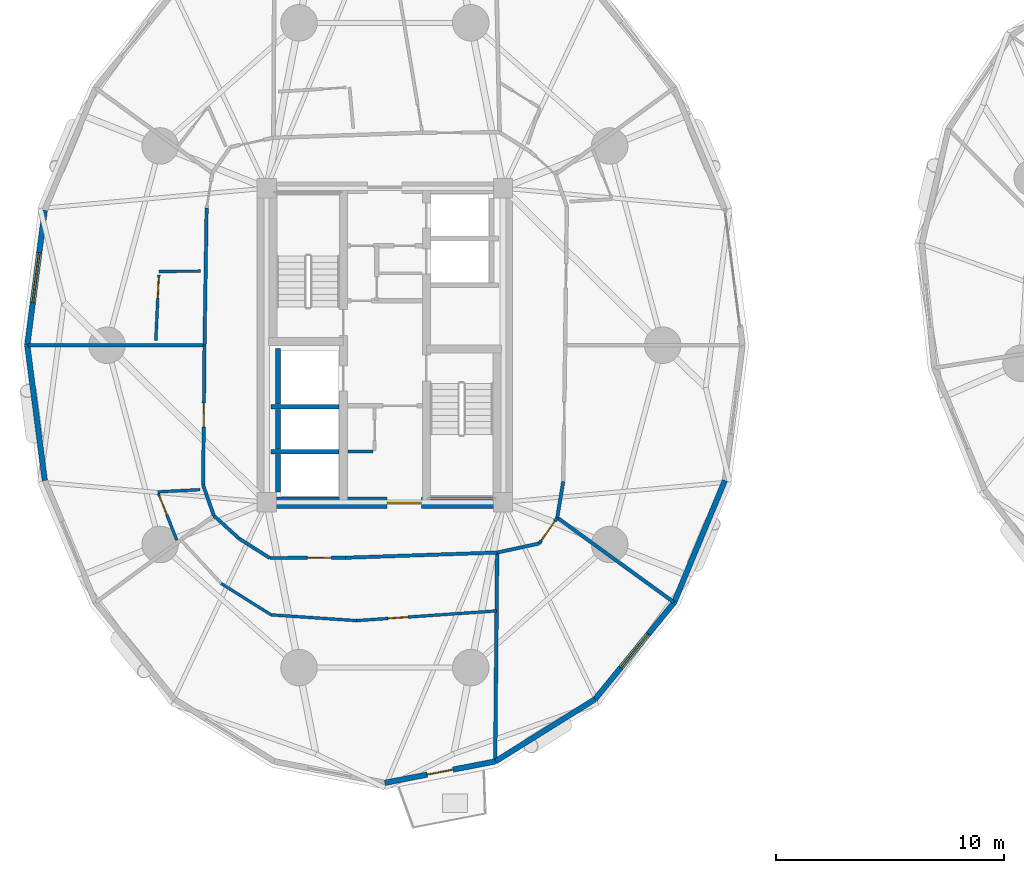
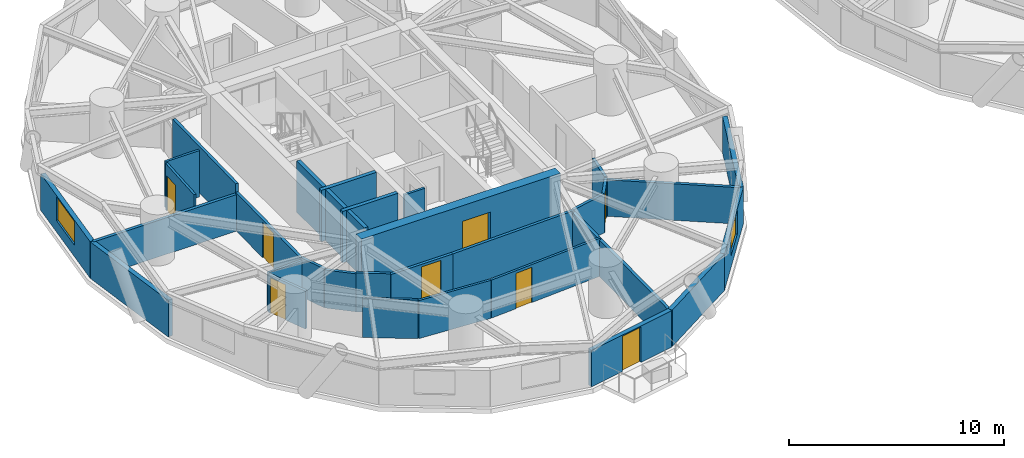
# One storey, part 9 of 18: 33 walls, 8 doors, 2 windows, 10 openings.
"""IFC4 building model written with IfcOpenShell, lengths in metres."""

from ifc_helpers import new_model, si_unit, direction, frame, frame_2d, origin, place, context, subcontext, project, spatial, rectangle, extrude, source, transform, mapped, material, layer, layer_set, type_object, element, fill, save


model = new_model("IFC4")

# Units and contexts
model_context = context("Model", 3, precision=1e-05, world=origin(), true_north=direction((0.0, 1.0)))
body_context = subcontext(model_context, "Body", "Model", "MODEL_VIEW")
ifc_project = project(units=[si_unit("LENGTHUNIT", "METRE"), si_unit("AREAUNIT", "SQUARE_METRE"), si_unit("VOLUMEUNIT", "CUBIC_METRE"), si_unit("PLANEANGLEUNIT", "RADIAN"), si_unit("MASSUNIT", "GRAM", prefix="KILO")], contexts=[model_context])

# Site, building, storey
site_placement = place(None, origin())
site = spatial("IfcSite", under=ifc_project, at=site_placement, CompositionType="ELEMENT")
building_placement = place(site_placement, origin())
building = spatial("IfcBuilding", under=site, at=building_placement, Name="Cununo Teusaquillo Station Towers", CompositionType="ELEMENT")
storey_placement = place(building_placement, frame((0.0, 0.0, 51.10009765625)))
storey = spatial("IfcBuildingStorey", under=building, at=storey_placement, Name="L15", CompositionType="ELEMENT", Elevation=51.10009765625)

# Walls
ifc_material_1 = material(Name="Concrete C50/60", Category="concrete")
ifc_layer_1 = layer(ifc_material_1, 0.199951171875)
ifc_layer_set_1 = layer_set([ifc_layer_1], Name="Concrete C50/60")
wall_type_1 = type_object("IfcWallType", Name="WL-CORE-200", PredefinedType="SHEAR", material=ifc_layer_set_1)
wall_1_placement = place(storey_placement, frame((11.52001953125, 21.800048828125, 0.0), z_axis=(0.0, 0.0, 1.0), x_axis=(1.0, 0.0, 0.0)))
element("IfcWall", 1, at=wall_1_placement, inside=storey, type_object=wall_type_1, Name="L15 Tower A Firefighting Lift Shaft South Shear Wall", PredefinedType="SHEAR", context=body_context, shape_type="SweptSolid", body=[
    extrude(rectangle(XDim=2.969970703125, YDim=0.199951171875, at=frame_2d((1.48486328125, 0.0))), origin(), (0.0, 0.0, 1.0), 2.909912109375),
])
wall_2_placement = place(storey_placement, frame((11.820068359375, 21.919921875, 0.0), z_axis=(0.0, 0.0, 1.0), x_axis=(0.0, 1.0, 0.0)))
element("IfcWall", 2, at=wall_2_placement, inside=storey, type_object=wall_type_1, Name="L15 Tower A Firefighting Lift Shaft Rear Shear Wall", PredefinedType="SHEAR", context=body_context, shape_type="SweptSolid", body=[
    extrude(rectangle(XDim=2.440185546875, YDim=0.199951171875, at=frame_2d((1.22021484375, 0.0))), origin(), (0.0, 0.0, 1.0), 2.909912109375),
])
wall_3_placement = place(storey_placement, frame((11.52001953125, 19.824951171875, 0.0), z_axis=(0.0, 0.0, 1.0), x_axis=(1.0, 0.0, 0.0)))
element("IfcWall", 3, at=wall_3_placement, inside=storey, type_object=wall_type_1, Name="L15 Tower A High-Rise Lift Hoistway Divider Shear Wall", PredefinedType="SHEAR", context=body_context, shape_type="SweptSolid", body=[
    extrude(rectangle(XDim=2.969970703125, YDim=0.199951171875, at=frame_2d((1.48486328125, 0.0))), origin(), (0.0, 0.0, 1.0), 2.909912109375),
])
wall_4_placement = place(storey_placement, frame((11.820068359375, 19.945068359375, 0.0), z_axis=(0.0, 0.0, 1.0), x_axis=(0.0, 1.0, 0.0)))
element("IfcWall", 4, at=wall_4_placement, inside=storey, type_object=wall_type_1, Name="L15 Tower A High-Rise Lift 2 Shaft Rear Shear Wall", PredefinedType="SHEAR", context=body_context, shape_type="SweptSolid", body=[
    extrude(rectangle(XDim=1.73486328125, YDim=0.199951171875, at=frame_2d((0.867431640625, 0.0))), origin(), (0.0, 0.0, 1.0), 2.909912109375),
])
wall_5_placement = place(storey_placement, frame((11.820068359375, 18.070068359375, 0.0), z_axis=(0.0, 0.0, 1.0), x_axis=(0.0, 1.0, 0.0)))
element("IfcWall", 5, at=wall_5_placement, inside=storey, type_object=wall_type_1, Name="L15 Tower A High-Rise Lift 1 Shaft Rear Shear Wall", PredefinedType="SHEAR", context=body_context, shape_type="SweptSolid", body=[
    extrude(rectangle(XDim=1.635009765625, YDim=0.199951171875, at=frame_2d((0.8173828125, 0.0))), origin(), (0.0, 0.0, 1.0), 2.909912109375),
])

# Wall, opening, door
ifc_material_2 = material(Name="Concrete C60/75", Category="concrete")
ifc_layer_2 = layer(ifc_material_2, 0.5)
ifc_layer_set_2 = layer_set([ifc_layer_2], Name="Concrete C60/75")
wall_type_2 = type_object("IfcWallType", Name="WL-CORE-500", PredefinedType="SHEAR", material=ifc_layer_set_2)
wall_6_placement = place(storey_placement, frame((11.14990234375, 17.60009765625, 0.0), z_axis=(0.0, 0.0, 1.0), x_axis=(1.0, 0.0, 0.0)))
wall_6 = element("IfcWall", 6, at=wall_6_placement, inside=storey, type_object=wall_type_2, Name="L15 Tower A Core Shear Wall S", PredefinedType="SHEAR", context=body_context, shape_type="SweptSolid", body=[
    extrude(rectangle(XDim=10.7001953125, YDim=0.5, at=frame_2d((5.35009765625, 0.0))), origin(), (0.0, 0.0, 1.0), 2.909912109375),
])
shared_shape_1 = source(origin(), body_context, "Body", "SweptSolid", [
    extrude(rectangle(XDim=1.5, YDim=2.02001953125, at=frame_2d((0.75, 1.010009765625))), frame((0.0, 0.260009765625, 0.0), z_axis=(0.0, -1.0, 0.0), x_axis=(1.0, 0.0, 0.0)), (0.0, 0.0, 1.0), 0.52001953125),
])
opening_1_placement = place(wall_6_placement, frame((5.449951171875, 0.0, 0.0)))
opening_1 = element("IfcOpeningElement", 7, at=opening_1_placement, cuts=wall_6, Name="Opening D-LB1", PredefinedType="OPENING", context=body_context, shape_type="MappedRepresentation", body=[
    mapped(shared_shape_1, transform((0.0, 0.0, 0.0), x_axis=(1.0, 0.0, 0.0), y_axis=(0.0, 1.0, 0.0), z_axis=(0.0, 0.0, 1.0), scale=1.0)),
])
ifc_material_3 = material(Name="Galvanised fire-rated hollow steel door assembly", Category="steel")
door_type_1 = type_object("IfcDoorType", Name="DR-LOBBY-1500", OperationType="DOUBLE_DOOR_SINGLE_SWING", PredefinedType="DOOR", material=ifc_material_3)
shared_shape_2 = source(origin(), body_context, "Body", "SweptSolid", [
    extrude(rectangle(XDim=1.5, YDim=2.02001953125, at=frame_2d((0.75, 1.010009765625))), frame((0.0, 0.02490234375, 0.0), z_axis=(0.0, -1.0, 0.0), x_axis=(1.0, 0.0, 0.0)), (0.0, 0.0, 1.0), 0.050048828125),
])
door_1_placement = place(opening_1_placement, origin())
door_1 = element("IfcDoor", 8, at=door_1_placement, inside=storey, type_object=door_type_1, Name="L15 Tower A South Core Lift Lobby Door", OperationType="DOUBLE_DOOR_SINGLE_SWING", OverallHeight=2.02001953125, OverallWidth=1.5, PredefinedType="DOOR", context=body_context, shape_type="MappedRepresentation", body=[
    mapped(shared_shape_2, transform((0.0, 0.0, 0.0), x_axis=(1.0, 0.0, 0.0), y_axis=(0.0, 1.0, 0.0), z_axis=(0.0, 0.0, 1.0), scale=1.0)),
])
fill(opening_1, door_1)

# Wall, opening, window
ifc_material_4 = material(Name="Precast concrete C40/50", Category="concrete")
ifc_layer_3 = layer(ifc_material_4, 0.239990234375)
ifc_layer_set_3 = layer_set([ifc_layer_3], Name="Precast concrete C40/50")
wall_type_3 = type_object("IfcWallType", Name="WL-EXT-240", PredefinedType="SOLIDWALL", material=ifc_layer_set_3)
wall_7_placement = place(storey_placement, frame((0.8369140625, 24.5, 0.0), z_axis=(0.0, 0.0, 1.0), x_axis=(0.128339641463, 0.991730274031, 0.0)))
wall_7 = element("IfcWall", 9, at=wall_7_placement, inside=storey, type_object=wall_type_3, Name="L15 Tower A Exterior Facade Wall C09", PredefinedType="SOLIDWALL", context=body_context, shape_type="SweptSolid", body=[
    extrude(rectangle(XDim=5.97314453125, YDim=0.239990234375, at=frame_2d((2.986572265625, 0.0))), origin(), (0.0, 0.0, 1.0), 2.072998046875),
])
shared_shape_3 = source(origin(), body_context, "Body", "SweptSolid", [
    extrude(rectangle(XDim=2.199951171875, YDim=1.35009765625, at=frame_2d((1.10009765625, 0.675048828125))), frame((0.0, 0.1298828125, 0.0), z_axis=(0.0, -1.0, 0.0), x_axis=(1.0, 0.0, 0.0)), (0.0, 0.0, 1.0), 0.260009765625),
])
opening_2_placement = place(wall_7_placement, frame((1.886962890625, 0.0, 0.64990234375)))
opening_2 = element("IfcOpeningElement", 10, at=opening_2_placement, cuts=wall_7, Name="Opening WN-01", PredefinedType="OPENING", context=body_context, shape_type="MappedRepresentation", body=[
    mapped(shared_shape_3, transform((0.0, 0.0, 0.0), x_axis=(1.0, 0.0, 0.0), y_axis=(0.0, 1.0, 0.0), z_axis=(0.0, 0.0, 1.0), scale=1.0)),
])
ifc_material_5 = material(Name="Ceramic-fritted dark low-E double glazing", Category="glass")
window_type_1 = type_object("IfcWindowType", Name="WIN-FRIT-2200", PartitioningType="DOUBLE_PANEL_VERTICAL", PredefinedType="WINDOW", material=ifc_material_5)
shared_shape_4 = source(origin(), body_context, "Body", "SweptSolid", [
    extrude(rectangle(XDim=2.199951171875, YDim=1.35009765625, at=frame_2d((1.10009765625, 0.675048828125))), frame((0.0, 0.030029296875, 0.0), z_axis=(0.0, -1.0, 0.0), x_axis=(1.0, 0.0, 0.0)), (0.0, 0.0, 1.0), 0.06005859375),
])
window_1_placement = place(opening_2_placement, origin())
window_1 = element("IfcWindow", 11, at=window_1_placement, inside=storey, type_object=window_type_1, Name="L15 Tower A Facade Window C09", OverallHeight=1.35009765625, OverallWidth=2.199951171875, PartitioningType="DOUBLE_PANEL_VERTICAL", PredefinedType="WINDOW", context=body_context, shape_type="MappedRepresentation", body=[
    mapped(shared_shape_4, transform((0.0, 0.0, 0.0), x_axis=(1.0, 0.0, 0.0), y_axis=(0.0, 1.0, 0.0), z_axis=(0.0, 0.0, 1.0), scale=1.0)),
])
fill(opening_2, window_1)

# Wall
wall_8_placement = place(storey_placement, frame((1.603515625, 18.576171875, 0.0), z_axis=(0.0, 0.0, 1.0), x_axis=(-0.128339641463, 0.991730274031, 0.0)))
element("IfcWall", 12, at=wall_8_placement, inside=storey, type_object=wall_type_3, Name="L15 Tower A Exterior Facade Wall C10", PredefinedType="SOLIDWALL", context=body_context, shape_type="SweptSolid", body=[
    extrude(rectangle(XDim=5.97314453125, YDim=0.239990234375, at=frame_2d((2.986572265625, 0.0))), origin(), (0.0, 0.0, 1.0), 2.072998046875),
])

# Wall, opening, door
wall_9_placement = place(storey_placement, frame((21.340087890625, 6.268310546875, 0.0), z_axis=(0.0, 0.0, 1.0), x_axis=(-0.981725274071, -0.190303668512, 0.0)))
wall_9 = element("IfcWall", 13, at=wall_9_placement, inside=storey, type_object=wall_type_3, Name="L15 Tower A Exterior Facade Wall C15", PredefinedType="SOLIDWALL", context=body_context, shape_type="SweptSolid", body=[
    extrude(rectangle(XDim=4.93017578125, YDim=0.239990234375, at=frame_2d((2.465087890625, 0.0))), origin(), (0.0, 0.0, 1.0), 2.072998046875),
])
shared_shape_5 = source(origin(), body_context, "Body", "SweptSolid", [
    extrude(rectangle(XDim=1.14990234375, YDim=2.0048828125, at=frame_2d((0.574951171875, 1.00244140625))), frame((0.0, 0.1298828125, 0.0), z_axis=(0.0, -1.0, 0.0), x_axis=(1.0, 0.0, 0.0)), (0.0, 0.0, 1.0), 0.260009765625),
])
opening_3_placement = place(wall_9_placement, frame((1.889892578125, 0.0, 0.0)))
opening_3 = element("IfcOpeningElement", 14, at=opening_3_placement, cuts=wall_9, Name="Opening ED-03", PredefinedType="OPENING", context=body_context, shape_type="MappedRepresentation", body=[
    mapped(shared_shape_5, transform((0.0, 0.0, 0.0), x_axis=(1.0, 0.0, 0.0), y_axis=(0.0, 1.0, 0.0), z_axis=(0.0, 0.0, 1.0), scale=1.0)),
])
ifc_material_6 = material(Name="Anodised dark bronze aluminium EN AW-6063-T6", Category="aluminium")
door_type_2 = type_object("IfcDoorType", Name="DR-EXT-BAL", OperationType="NOTDEFINED", PredefinedType="DOOR", material=ifc_material_6)
shared_shape_6 = source(origin(), body_context, "Body", "SweptSolid", [
    extrude(rectangle(XDim=1.14990234375, YDim=2.0048828125, at=frame_2d((0.574951171875, 1.00244140625))), frame((0.0, 0.02490234375, 0.0), z_axis=(0.0, -1.0, 0.0), x_axis=(1.0, 0.0, 0.0)), (0.0, 0.0, 1.0), 0.050048828125),
])
door_2_placement = place(opening_3_placement, origin())
door_2 = element("IfcDoor", 15, at=door_2_placement, inside=storey, type_object=door_type_2, Name="L15 Tower A Tree Balcony Door C15", OperationType="SINGLE_SWING_LEFT", OverallHeight=2.0048828125, OverallWidth=1.14990234375, PredefinedType="DOOR", context=body_context, shape_type="MappedRepresentation", body=[
    mapped(shared_shape_6, transform((0.0, 0.0, 0.0), x_axis=(1.0, 0.0, 0.0), y_axis=(0.0, 1.0, 0.0), z_axis=(0.0, 0.0, 1.0), scale=1.0)),
])
fill(opening_3, door_2)

# Wall
wall_10_placement = place(storey_placement, frame((25.70654296875, 8.9912109375, 0.0), z_axis=(0.0, 0.0, 1.0), x_axis=(-0.848533613342, -0.529141481107, 0.0)))
element("IfcWall", 16, at=wall_10_placement, inside=storey, type_object=wall_type_3, Name="L15 Tower A Exterior Facade Wall C16", PredefinedType="SOLIDWALL", context=body_context, shape_type="SweptSolid", body=[
    extrude(rectangle(XDim=5.14599609375, YDim=0.239990234375, at=frame_2d((2.572998046875, 0.0))), origin(), (0.0, 0.0, 1.0), 2.072998046875),
])

# Wall, opening, window
wall_11_placement = place(storey_placement, frame((29.171630859375, 13.232177734375, 0.0), z_axis=(0.0, 0.0, 1.0), x_axis=(-0.632713287022, -0.77438614168, 0.0)))
wall_11 = element("IfcWall", 17, at=wall_11_placement, inside=storey, type_object=wall_type_3, Name="L15 Tower A Exterior Facade Wall C17", PredefinedType="SOLIDWALL", context=body_context, shape_type="SweptSolid", body=[
    extrude(rectangle(XDim=5.4765625, YDim=0.239990234375, at=frame_2d((2.73828125, 0.0))), origin(), (0.0, 0.0, 1.0), 2.072998046875),
])
shared_shape_7 = source(origin(), body_context, "Body", "SweptSolid", [
    extrude(rectangle(XDim=1.89990234375, YDim=1.35009765625, at=frame_2d((0.949951171875, 0.675048828125))), frame((0.0, 0.1298828125, 0.0), z_axis=(0.0, -1.0, 0.0), x_axis=(1.0, 0.0, 0.0)), (0.0, 0.0, 1.0), 0.260009765625),
])
opening_4_placement = place(wall_11_placement, frame((1.7880859375, 0.0, 0.64990234375)))
opening_4 = element("IfcOpeningElement", 18, at=opening_4_placement, cuts=wall_11, Name="Opening WN-02", PredefinedType="OPENING", context=body_context, shape_type="MappedRepresentation", body=[
    mapped(shared_shape_7, transform((0.0, 0.0, 0.0), x_axis=(1.0, 0.0, 0.0), y_axis=(0.0, 1.0, 0.0), z_axis=(0.0, 0.0, 1.0), scale=1.0)),
])
ifc_material_7 = material(Name="Operable acoustic tinted low-E double glazing", Category="glass")
window_type_2 = type_object("IfcWindowType", Name="WIN-OPER-1900", PartitioningType="DOUBLE_PANEL_VERTICAL", PredefinedType="WINDOW", material=ifc_material_7)
shared_shape_8 = source(origin(), body_context, "Body", "SweptSolid", [
    extrude(rectangle(XDim=1.89990234375, YDim=1.35009765625, at=frame_2d((0.949951171875, 0.675048828125))), frame((0.0, 0.030029296875, 0.0), z_axis=(0.0, -1.0, 0.0), x_axis=(1.0, 0.0, 0.0)), (0.0, 0.0, 1.0), 0.06005859375),
])
window_2_placement = place(opening_4_placement, origin())
window_2 = element("IfcWindow", 19, at=window_2_placement, inside=storey, type_object=window_type_2, Name="L15 Tower A Facade Window C17", OverallHeight=1.35009765625, OverallWidth=1.89990234375, PartitioningType="DOUBLE_PANEL_VERTICAL", PredefinedType="WINDOW", context=body_context, shape_type="MappedRepresentation", body=[
    mapped(shared_shape_8, transform((0.0, 0.0, 0.0), x_axis=(1.0, 0.0, 0.0), y_axis=(0.0, 1.0, 0.0), z_axis=(0.0, 0.0, 1.0), scale=1.0)),
])
fill(opening_4, window_2)

# Walls
wall_12_placement = place(storey_placement, frame((31.396484375, 18.576171875, 0.0), z_axis=(0.0, 0.0, 1.0), x_axis=(-0.384348836956, -0.923187939442, 0.0)))
element("IfcWall", 20, at=wall_12_placement, inside=storey, type_object=wall_type_3, Name="L15 Tower A Exterior Facade Wall C18", PredefinedType="SOLIDWALL", context=body_context, shape_type="SweptSolid", body=[
    extrude(rectangle(XDim=5.78857421875, YDim=0.239990234375, at=frame_2d((2.894287109375, 0.0))), origin(), (0.0, 0.0, 1.0), 2.072998046875),
])
ifc_material_8 = material(Name="Fire-rated gypsum plasterboard partition assembly", Category="gypsum")
ifc_layer_4 = layer(ifc_material_8, 0.125)
ifc_layer_set_4 = layer_set([ifc_layer_4], Name="Fire-rated gypsum plasterboard partition assembly")
wall_type_4 = type_object("IfcWallType", Name="WL-PART-125", PredefinedType="PARTITIONING", material=ifc_layer_set_4)
wall_13_placement = place(storey_placement, frame((14.8798828125, 19.85009765625, 0.0), z_axis=(0.0, 0.0, 1.0), x_axis=(1.0, 0.0, 0.0)))
element("IfcWall", 21, at=wall_13_placement, inside=storey, type_object=wall_type_4, Name="L15 Tower A North-West Lobby Store South Wall", PredefinedType="PARTITIONING", context=body_context, shape_type="SweptSolid", body=[
    extrude(rectangle(XDim=1.10009765625, YDim=0.125, at=frame_2d((0.550048828125, 0.0))), origin(), (0.0, 0.0, 1.0), 2.635009765625),
])
wall_14_placement = place(storey_placement, frame((8.4287109375, 27.74462890625, 0.0), z_axis=(0.0, 0.0, 1.0), x_axis=(-0.999976632219, -0.006836301373, 0.0)))
element("IfcWall", 22, at=wall_14_placement, inside=storey, type_object=wall_type_4, Name="L15 Tower A S05 En-suite Side Wall", PredefinedType="PARTITIONING", context=body_context, shape_type="SweptSolid", body=[
    extrude(rectangle(XDim=1.8212890625, YDim=0.125, at=frame_2d((0.91064453125, 0.0))), origin(), (0.0, 0.0, 1.0), 2.635009765625),
])

# Wall, opening, door
wall_15_placement = place(storey_placement, frame((6.600341796875, 27.58251953125, 0.0), z_axis=(0.0, 0.0, 1.0), x_axis=(-0.046516553412, -0.998917519247, 0.0)))
wall_15 = element("IfcWall", 23, at=wall_15_placement, inside=storey, type_object=wall_type_4, Name="L15 Tower A S05 En-suite Back Wall", PredefinedType="PARTITIONING", context=body_context, shape_type="SweptSolid", body=[
    extrude(rectangle(XDim=2.876220703125, YDim=0.125, at=frame_2d((1.43798828125, 0.0))), origin(), (0.0, 0.0, 1.0), 2.635009765625),
])
shared_shape_9 = source(origin(), body_context, "Body", "SweptSolid", [
    extrude(rectangle(XDim=0.89990234375, YDim=2.0048828125, at=frame_2d((0.449951171875, 1.00244140625))), frame((0.0, 0.072509765625, 0.0), z_axis=(0.0, -1.0, 0.0), x_axis=(1.0, 0.0, 0.0)), (0.0, 0.0, 1.0), 0.14501953125),
])
opening_5_placement = place(wall_15_placement, frame((0.1201171875, 0.0, 0.0)))
opening_5 = element("IfcOpeningElement", 24, at=opening_5_placement, cuts=wall_15, Name="Opening D-IN1", PredefinedType="OPENING", context=body_context, shape_type="MappedRepresentation", body=[
    mapped(shared_shape_9, transform((0.0, 0.0, 0.0), x_axis=(1.0, 0.0, 0.0), y_axis=(0.0, 1.0, 0.0), z_axis=(0.0, 0.0, 1.0), scale=1.0)),
])
ifc_material_9 = material(Name="Acoustic solid-core hardwood leaf assembly", Category="wood")
door_type_3 = type_object("IfcDoorType", Name="DR-INT-900", OperationType="NOTDEFINED", PredefinedType="DOOR", material=ifc_material_9)
shared_shape_10 = source(origin(), body_context, "Body", "SweptSolid", [
    extrude(rectangle(XDim=0.89990234375, YDim=2.0048828125, at=frame_2d((0.449951171875, 1.00244140625))), frame((0.0, 0.02490234375, 0.0), z_axis=(0.0, -1.0, 0.0), x_axis=(1.0, 0.0, 0.0)), (0.0, 0.0, 1.0), 0.050048828125),
])
door_3_placement = place(opening_5_placement, origin())
door_3 = element("IfcDoor", 25, at=door_3_placement, inside=storey, type_object=door_type_3, Name="L15 Tower A S05 En-suite Bathroom Door", OperationType="SINGLE_SWING_LEFT", OverallHeight=2.0048828125, OverallWidth=0.89990234375, PredefinedType="DOOR", context=body_context, shape_type="MappedRepresentation", body=[
    mapped(shared_shape_10, transform((0.0, 0.0, 0.0), x_axis=(1.0, 0.0, 0.0), y_axis=(0.0, 1.0, 0.0), z_axis=(0.0, 0.0, 1.0), scale=1.0)),
])
fill(opening_5, door_3)

# Wall
wall_16_placement = place(storey_placement, frame((8.404296875, 18.173095703125, 0.0), z_axis=(0.0, 0.0, 1.0), x_axis=(-0.998640999178, -0.052116741655, 0.0)))
element("IfcWall", 26, at=wall_16_placement, inside=storey, type_object=wall_type_4, Name="L15 Tower A S06 En-suite Side Wall", PredefinedType="PARTITIONING", context=body_context, shape_type="SweptSolid", body=[
    extrude(rectangle(XDim=1.85498046875, YDim=0.125, at=frame_2d((0.927490234375, 0.0))), origin(), (0.0, 0.0, 1.0), 2.204833984375),
])

# Wall, opening, door
wall_17_placement = place(storey_placement, frame((6.5771484375, 18.01220703125, 0.0), z_axis=(0.0, 0.0, 1.0), x_axis=(0.366179258149, -0.930544330433, 0.0)))
wall_17 = element("IfcWall", 27, at=wall_17_placement, inside=storey, type_object=wall_type_4, Name="L15 Tower A S06 En-suite Back Wall", PredefinedType="PARTITIONING", context=body_context, shape_type="SweptSolid", body=[
    extrude(rectangle(XDim=2.20751953125, YDim=0.125, at=frame_2d((1.103759765625, 0.0))), origin(), (0.0, 0.0, 1.0), 2.158935546875),
])
opening_6_placement = place(wall_17_placement, frame((0.1201171875, 0.0, 0.0)))
opening_6 = element("IfcOpeningElement", 28, at=opening_6_placement, cuts=wall_17, Name="Opening D-IN1", PredefinedType="OPENING", context=body_context, shape_type="MappedRepresentation", body=[
    mapped(shared_shape_9, transform((0.0, 0.0, 0.0), x_axis=(1.0, 0.0, 0.0), y_axis=(0.0, 1.0, 0.0), z_axis=(0.0, 0.0, 1.0), scale=1.0)),
])
door_4_placement = place(opening_6_placement, origin())
door_4 = element("IfcDoor", 29, at=door_4_placement, inside=storey, type_object=door_type_3, Name="L15 Tower A S06 En-suite Bathroom Door", OperationType="SINGLE_SWING_LEFT", OverallHeight=2.0048828125, OverallWidth=0.89990234375, PredefinedType="DOOR", context=body_context, shape_type="MappedRepresentation", body=[
    mapped(shared_shape_10, transform((0.0, 0.0, 0.0), x_axis=(1.0, 0.0, 0.0), y_axis=(0.0, 1.0, 0.0), z_axis=(0.0, 0.0, 1.0), scale=1.0)),
])
fill(opening_6, door_4)

# Walls
wall_18_placement = place(storey_placement, frame((9.32861328125, 14.06298828125, 0.0), z_axis=(0.0, 0.0, 1.0), x_axis=(0.846882074778, -0.531780736225, 0.0)))
element("IfcWall", 30, at=wall_18_placement, inside=storey, type_object=wall_type_4, Name="L15 Tower A Hotel Sommelier & Wine Salon Concentric Partition Wall C13", PredefinedType="PARTITIONING", context=body_context, shape_type="SweptSolid", body=[
    extrude(rectangle(XDim=2.584716796875, YDim=0.125, at=frame_2d((1.29248046875, 0.0))), origin(), (0.0, 0.0, 1.0), 2.204833984375),
])
wall_19_placement = place(storey_placement, frame((11.517578125, 12.6884765625, 0.0), z_axis=(0.0, 0.0, 1.0), x_axis=(0.997722259414, -0.067455860152, 0.0)))
element("IfcWall", 31, at=wall_19_placement, inside=storey, type_object=wall_type_4, Name="L15 Tower A Hotel Sommelier & Wine Salon Concentric Partition Wall C14", PredefinedType="PARTITIONING", context=body_context, shape_type="SweptSolid", body=[
    extrude(rectangle(XDim=3.753173828125, YDim=0.125, at=frame_2d((1.87646484375, 0.0))), origin(), (0.0, 0.0, 1.0), 2.158935546875),
])

# Wall, opening, door
wall_20_placement = place(storey_placement, frame((15.26220703125, 12.435302734375, 0.0), z_axis=(0.0, 0.0, 1.0), x_axis=(0.997593149667, 0.069339077998, 0.0)))
wall_20 = element("IfcWall", 32, at=wall_20_placement, inside=storey, type_object=wall_type_4, Name="L15 Tower A Hotel Sommelier & Wine Salon Concentric Partition Wall C15", PredefinedType="PARTITIONING", context=body_context, shape_type="SweptSolid", body=[
    extrude(rectangle(XDim=6.147705078125, YDim=0.125, at=frame_2d((3.07373046875, 0.0))), origin(), (0.0, 0.0, 1.0), 2.158935546875),
])
opening_7_placement = place(wall_20_placement, frame((1.371826171875, 0.0, 0.0)))
opening_7 = element("IfcOpeningElement", 33, at=opening_7_placement, cuts=wall_20, Name="Opening D-IN1", PredefinedType="OPENING", context=body_context, shape_type="MappedRepresentation", body=[
    mapped(shared_shape_9, transform((0.0, 0.0, 0.0), x_axis=(1.0, 0.0, 0.0), y_axis=(0.0, 1.0, 0.0), z_axis=(0.0, 0.0, 1.0), scale=1.0)),
])
door_5_placement = place(opening_7_placement, origin())
door_5 = element("IfcDoor", 34, at=door_5_placement, inside=storey, type_object=door_type_3, Name="L15 Tower A Hotel Sommelier & Wine Salon Connecting Door", OperationType="SINGLE_SWING_LEFT", OverallHeight=2.0048828125, OverallWidth=0.89990234375, PredefinedType="DOOR", context=body_context, shape_type="MappedRepresentation", body=[
    mapped(shared_shape_10, transform((0.0, 0.0, 0.0), x_axis=(1.0, 0.0, 0.0), y_axis=(0.0, 1.0, 0.0), z_axis=(0.0, 0.0, 1.0), scale=1.0)),
])
fill(opening_7, door_5)

# Wall
ifc_material_10 = material(Name="Fire-rated gypsum plasterboard partition assembly", Category="gypsum")
ifc_layer_5 = layer(ifc_material_10, 0.14990234375)
ifc_layer_set_5 = layer_set([ifc_layer_5], Name="Fire-rated gypsum plasterboard partition assembly")
wall_type_5 = type_object("IfcWallType", Name="WL-PART-150", PredefinedType="PARTITIONING", material=ifc_layer_set_5)
wall_21_placement = place(storey_placement, frame((8.692626953125, 30.51171875, 0.0), z_axis=(0.0, 0.0, 1.0), x_axis=(-0.015389665197, -0.99988157209, 0.0)))
element("IfcWall", 35, at=wall_21_placement, inside=storey, type_object=wall_type_5, Name="L15 Tower A Corridor Ring Wall C09", PredefinedType="PARTITIONING", context=body_context, shape_type="SweptSolid", body=[
    extrude(rectangle(XDim=6.012451171875, YDim=0.14990234375, at=frame_2d((3.00634765625, 0.0))), origin(), (0.0, 0.0, 1.0), 2.635009765625),
])

# Wall, opening, door
wall_22_placement = place(storey_placement, frame((8.60009765625, 24.5, 0.0), z_axis=(0.0, 0.0, 1.0), x_axis=(-0.010076760723, -0.999949228158, 0.0)))
wall_22 = element("IfcWall", 36, at=wall_22_placement, inside=storey, type_object=wall_type_5, Name="L15 Tower A Corridor Ring Wall C10", PredefinedType="PARTITIONING", context=body_context, shape_type="SweptSolid", body=[
    extrude(rectangle(XDim=6.129638671875, YDim=0.14990234375, at=frame_2d((3.06494140625, 0.0))), origin(), (0.0, 0.0, 1.0), 2.158935546875),
])
shared_shape_11 = source(origin(), body_context, "Body", "SweptSolid", [
    extrude(rectangle(XDim=1.050048828125, YDim=2.014892578125, at=frame_2d((0.52490234375, 1.00732421875))), frame((0.0, 0.0849609375, 0.0), z_axis=(0.0, -1.0, 0.0), x_axis=(1.0, 0.0, 0.0)), (0.0, 0.0, 1.0), 0.169921875),
])
opening_8_placement = place(wall_22_placement, frame((2.539794921875, 0.0, 0.0)))
opening_8 = element("IfcOpeningElement", 37, at=opening_8_placement, cuts=wall_22, Name="Opening D-SU1", PredefinedType="OPENING", context=body_context, shape_type="MappedRepresentation", body=[
    mapped(shared_shape_11, transform((0.0, 0.0, 0.0), x_axis=(1.0, 0.0, 0.0), y_axis=(0.0, 1.0, 0.0), z_axis=(0.0, 0.0, 1.0), scale=1.0)),
])
ifc_material_11 = material(Name="Acoustic solid-core hardwood leaf assembly", Category="wood")
door_type_4 = type_object("IfcDoorType", Name="DR-SUITE-1050", OperationType="NOTDEFINED", PredefinedType="DOOR", material=ifc_material_11)
shared_shape_12 = source(origin(), body_context, "Body", "SweptSolid", [
    extrude(rectangle(XDim=1.050048828125, YDim=2.014892578125, at=frame_2d((0.52490234375, 1.00732421875))), frame((0.0, 0.02490234375, 0.0), z_axis=(0.0, -1.0, 0.0), x_axis=(1.0, 0.0, 0.0)), (0.0, 0.0, 1.0), 0.050048828125),
])
door_6_placement = place(opening_8_placement, origin())
door_6 = element("IfcDoor", 38, at=door_6_placement, inside=storey, type_object=door_type_4, Name="L15 Tower A Regent Corner Hotel Suite Entrance Door", OperationType="SINGLE_SWING_RIGHT", OverallHeight=2.014892578125, OverallWidth=1.050048828125, PredefinedType="DOOR", context=body_context, shape_type="MappedRepresentation", body=[
    mapped(shared_shape_12, transform((0.0, 0.0, 0.0), x_axis=(1.0, 0.0, 0.0), y_axis=(0.0, 1.0, 0.0), z_axis=(0.0, 0.0, 1.0), scale=1.0)),
])
fill(opening_8, door_6)

# Walls
wall_23_placement = place(storey_placement, frame((8.538330078125, 18.37060546875, 0.0), z_axis=(0.0, 0.0, 1.0), x_axis=(0.3330273821, -0.942917155837, 0.0)))
element("IfcWall", 39, at=wall_23_placement, inside=storey, type_object=wall_type_5, Name="L15 Tower A Corridor Ring Wall C11", PredefinedType="PARTITIONING", context=body_context, shape_type="SweptSolid", body=[
    extrude(rectangle(XDim=1.4169921875, YDim=0.14990234375, at=frame_2d((0.70849609375, 0.0))), origin(), (0.0, 0.0, 1.0), 2.204833984375),
])
wall_24_placement = place(storey_placement, frame((9.01025390625, 17.034423828125, 0.0), z_axis=(0.0, 0.0, 1.0), x_axis=(0.739733009791, -0.672900493554, 0.0)))
element("IfcWall", 40, at=wall_24_placement, inside=storey, type_object=wall_type_5, Name="L15 Tower A Corridor Ring Wall C12", PredefinedType="PARTITIONING", context=body_context, shape_type="SweptSolid", body=[
    extrude(rectangle(XDim=1.494140625, YDim=0.14990234375, at=frame_2d((0.7470703125, 0.0))), origin(), (0.0, 0.0, 1.0), 2.158935546875),
])
wall_25_placement = place(storey_placement, frame((10.115478515625, 16.029052734375, 0.0), z_axis=(0.0, 0.0, 1.0), x_axis=(0.844897677802, -0.534927952201, 0.0)))
element("IfcWall", 41, at=wall_25_placement, inside=storey, type_object=wall_type_5, Name="L15 Tower A Corridor Ring Wall C13", PredefinedType="PARTITIONING", context=body_context, shape_type="SweptSolid", body=[
    extrude(rectangle(XDim=1.591064453125, YDim=0.14990234375, at=frame_2d((0.79541015625, 0.0))), origin(), (0.0, 0.0, 1.0), 2.204833984375),
])

# Wall, opening, door
wall_26_placement = place(storey_placement, frame((11.459716796875, 15.177978515625, 0.0), z_axis=(0.0, 0.0, 1.0), x_axis=(0.999992694689, 0.003822377251, 0.0)))
wall_26 = element("IfcWall", 42, at=wall_26_placement, inside=storey, type_object=wall_type_5, Name="L15 Tower A Corridor Ring Wall C14", PredefinedType="PARTITIONING", context=body_context, shape_type="SweptSolid", body=[
    extrude(rectangle(XDim=3.3212890625, YDim=0.14990234375, at=frame_2d((1.66064453125, 0.0))), origin(), (0.0, 0.0, 1.0), 2.158935546875),
])
opening_9_placement = place(wall_26_placement, frame((1.643310546875, 0.0, 0.0)))
opening_9 = element("IfcOpeningElement", 43, at=opening_9_placement, cuts=wall_26, Name="Opening D-SU1", PredefinedType="OPENING", context=body_context, shape_type="MappedRepresentation", body=[
    mapped(shared_shape_11, transform((0.0, 0.0, 0.0), x_axis=(1.0, 0.0, 0.0), y_axis=(0.0, 1.0, 0.0), z_axis=(0.0, 0.0, 1.0), scale=1.0)),
])
door_7_placement = place(opening_9_placement, origin())
door_7 = element("IfcDoor", 44, at=door_7_placement, inside=storey, type_object=door_type_4, Name="L15 Tower A Hotel Sommelier & Wine Salon Entrance Door", OperationType="SINGLE_SWING_RIGHT", OverallHeight=2.014892578125, OverallWidth=1.050048828125, PredefinedType="DOOR", context=body_context, shape_type="MappedRepresentation", body=[
    mapped(shared_shape_12, transform((0.0, 0.0, 0.0), x_axis=(1.0, 0.0, 0.0), y_axis=(0.0, 1.0, 0.0), z_axis=(0.0, 0.0, 1.0), scale=1.0)),
])
fill(opening_9, door_7)

# Walls
wall_27_placement = place(storey_placement, frame((14.781005859375, 15.190673828125, 0.0), z_axis=(0.0, 0.0, 1.0), x_axis=(0.999412963972, 0.034259705842, 0.0)))
element("IfcWall", 45, at=wall_27_placement, inside=storey, type_object=wall_type_5, Name="L15 Tower A Corridor Ring Wall C15", PredefinedType="PARTITIONING", context=body_context, shape_type="SweptSolid", body=[
    extrude(rectangle(XDim=6.6416015625, YDim=0.14990234375, at=frame_2d((3.32080078125, 0.0))), origin(), (0.0, 0.0, 1.0), 2.158935546875),
])
wall_28_placement = place(storey_placement, frame((21.418701171875, 15.418212890625, 0.0), z_axis=(0.0, 0.0, 1.0), x_axis=(0.977540384091, 0.210748184977, 0.0)))
element("IfcWall", 46, at=wall_28_placement, inside=storey, type_object=wall_type_5, Name="L15 Tower A Corridor Ring Wall C16", PredefinedType="PARTITIONING", context=body_context, shape_type="SweptSolid", body=[
    extrude(rectangle(XDim=1.88720703125, YDim=0.14990234375, at=frame_2d((0.943603515625, 0.0))), origin(), (0.0, 0.0, 1.0), 2.204833984375),
])

# Wall, opening, door
wall_29_placement = place(storey_placement, frame((23.263427734375, 15.81591796875, 0.0), z_axis=(0.0, 0.0, 1.0), x_axis=(0.572652947117, 0.819797903241, 0.0)))
wall_29 = element("IfcWall", 47, at=wall_29_placement, inside=storey, type_object=wall_type_5, Name="L15 Tower A Corridor Ring Wall C17", PredefinedType="PARTITIONING", context=body_context, shape_type="SweptSolid", body=[
    extrude(rectangle(XDim=1.376953125, YDim=0.14990234375, at=frame_2d((0.6884765625, 0.0))), origin(), (0.0, 0.0, 1.0), 2.158935546875),
])
opening_10_placement = place(wall_29_placement, frame((0.147216796875, 0.0, 0.0)))
opening_10 = element("IfcOpeningElement", 48, at=opening_10_placement, cuts=wall_29, Name="Opening D-SU1", PredefinedType="OPENING", context=body_context, shape_type="MappedRepresentation", body=[
    mapped(shared_shape_11, transform((0.0, 0.0, 0.0), x_axis=(1.0, 0.0, 0.0), y_axis=(0.0, 1.0, 0.0), z_axis=(0.0, 0.0, 1.0), scale=1.0)),
])
door_8_placement = place(opening_10_placement, origin())
door_8 = element("IfcDoor", 49, at=door_8_placement, inside=storey, type_object=door_type_4, Name="L15 Tower A Hotel Housekeeping & Linen Pantry Entrance Door", OperationType="SINGLE_SWING_RIGHT", OverallHeight=2.014892578125, OverallWidth=1.050048828125, PredefinedType="DOOR", context=body_context, shape_type="MappedRepresentation", body=[
    mapped(shared_shape_12, transform((0.0, 0.0, 0.0), x_axis=(1.0, 0.0, 0.0), y_axis=(0.0, 1.0, 0.0), z_axis=(0.0, 0.0, 1.0), scale=1.0)),
])
fill(opening_10, door_8)

# Walls
wall_30_placement = place(storey_placement, frame((24.052001953125, 16.94482421875, 0.0), z_axis=(0.0, 0.0, 1.0), x_axis=(0.162869842843, 0.986647563364, 0.0)))
element("IfcWall", 50, at=wall_30_placement, inside=storey, type_object=wall_type_5, Name="L15 Tower A Corridor Ring Wall C18", PredefinedType="PARTITIONING", context=body_context, shape_type="SweptSolid", body=[
    extrude(rectangle(XDim=1.60546875, YDim=0.14990234375, at=frame_2d((0.802734375, 0.0))), origin(), (0.0, 0.0, 1.0), 2.204833984375),
])
ifc_material_12 = material(Name="Fire-rated gypsum plasterboard partition assembly", Category="gypsum")
ifc_layer_6 = layer(ifc_material_12, 0.159912109375)
ifc_layer_set_6 = layer_set([ifc_layer_6], Name="Fire-rated gypsum plasterboard partition assembly")
wall_type_6 = type_object("IfcWallType", Name="WL-PART-160", PredefinedType="PARTITIONING", material=ifc_layer_set_6)
wall_31_placement = place(storey_placement, frame((8.60009765625, 24.5, 0.0), z_axis=(0.0, 0.0, 1.0), x_axis=(-1.0, 0.0, 0.0)))
element("IfcWall", 51, at=wall_31_placement, inside=storey, type_object=wall_type_6, Name="L15 Tower A Radial Suite Partition R06", PredefinedType="PARTITIONING", context=body_context, shape_type="SweptSolid", body=[
    extrude(rectangle(XDim=7.7431640625, YDim=0.159912109375, at=frame_2d((3.87158203125, 0.0))), origin(), (0.0, 0.0, 1.0), 2.072998046875),
])
wall_32_placement = place(storey_placement, frame((21.418701171875, 15.418212890625, 0.0), z_axis=(0.0, 0.0, 1.0), x_axis=(-0.009277675551, -0.999956961442, 0.0)))
element("IfcWall", 52, at=wall_32_placement, inside=storey, type_object=wall_type_6, Name="L15 Tower A Radial Suite Partition R08", PredefinedType="PARTITIONING", context=body_context, shape_type="SweptSolid", body=[
    extrude(rectangle(XDim=9.13134765625, YDim=0.159912109375, at=frame_2d((4.565673828125, 0.0))), origin(), (0.0, 0.0, 1.0), 2.072998046875),
])
wall_33_placement = place(storey_placement, frame((24.052001953125, 16.94482421875, 0.0), z_axis=(0.0, 0.0, 1.0), x_axis=(0.809544185493, -0.587058950817, 0.0)))
element("IfcWall", 53, at=wall_33_placement, inside=storey, type_object=wall_type_6, Name="L15 Tower A Radial Suite Partition R09", PredefinedType="PARTITIONING", context=body_context, shape_type="SweptSolid", body=[
    extrude(rectangle(XDim=6.30419921875, YDim=0.159912109375, at=frame_2d((3.152099609375, 0.0))), origin(), (0.0, 0.0, 1.0), 2.072998046875),
])

save(model, "model.ifc")
